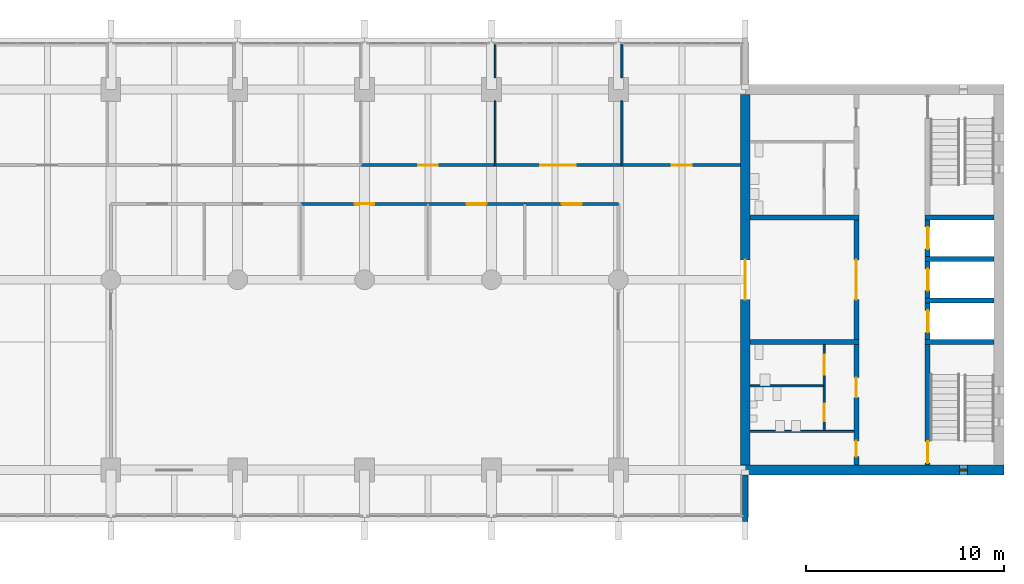
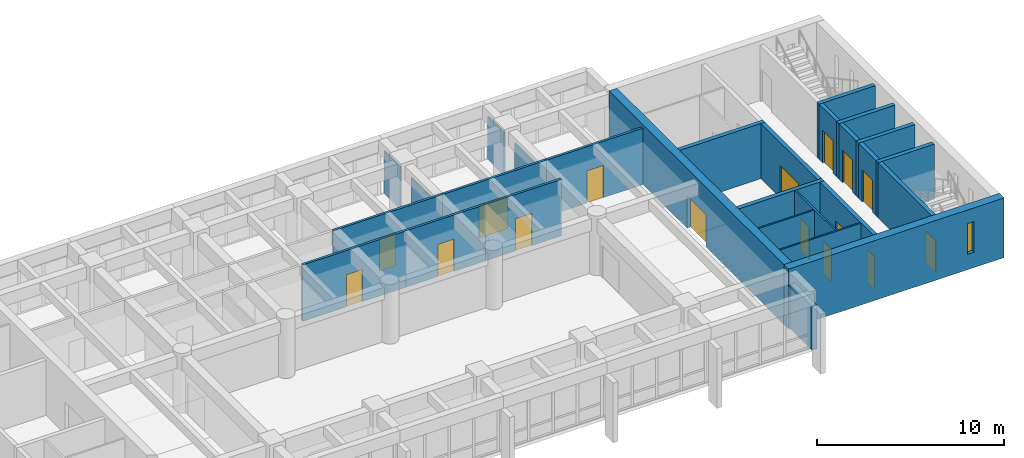
# One storey, part 11 of 15: 28 walls, 16 doors, 1 window, 17 openings.
"""IFC4 building model written with IfcOpenShell, lengths in metres."""

from ifc_helpers import new_model, si_unit, direction, frame, frame_2d, origin, place, context, subcontext, project, spatial, rectangle, extrude, material, layer, layer_set, type_object, element, fill, save


model = new_model("IFC4")

# Units and contexts
model_context = context("Model", 3, precision=1e-05, world=origin(), true_north=direction((0.0, 1.0)))
body_context = subcontext(model_context, "Body", "Model", "MODEL_VIEW")
ifc_project = project(units=[si_unit("LENGTHUNIT", "METRE"), si_unit("AREAUNIT", "SQUARE_METRE"), si_unit("VOLUMEUNIT", "CUBIC_METRE"), si_unit("PLANEANGLEUNIT", "RADIAN"), si_unit("MASSUNIT", "GRAM", prefix="KILO")], contexts=[model_context])

# Site, building, storey
site_placement = place(None, origin())
site = spatial("IfcSite", under=ifc_project, at=site_placement, CompositionType="ELEMENT")
building_placement = place(site_placement, origin())
building = spatial("IfcBuilding", under=site, at=building_placement, Name="Fogon Plaza Fire Station and Headquarters Tower", CompositionType="ELEMENT")
storey_placement = place(building_placement, frame((0.0, 0.0, 32.699951171875)))
storey = spatial("IfcBuildingStorey", under=building, at=storey_placement, Name="L08", CompositionType="ELEMENT", Elevation=32.699951171875)

# Walls
ifc_material_1 = material(Name="Concrete C40", Category="concrete")
ifc_layer_1 = layer(ifc_material_1, 0.25)
ifc_layer_set_1 = layer_set([ifc_layer_1], Name="Concrete C40")
wall_type_1 = type_object("IfcWallType", Name="Core Wall RC 250", PredefinedType="SOLIDWALL", material=ifc_layer_set_1)
for number, where, z_axis, x_axis, name in (
    (1, (76.550048828125, 40.050048828125, 0.0), (0.0, 0.0, 1.0), (-1.0, 0.0, 0.0), "Core B shaft wall"),
    (2, (76.550048828125, 42.14990234375, 0.0), (0.0, 0.0, 1.0), (-1.0, 0.0, 0.0), "Core B shaft wall"),
    (3, (76.550048828125, 44.25, 0.0), (0.0, 0.0, 1.0), (-1.0, 0.0, 0.0), "Core B shaft wall"),
    (4, (76.550048828125, 46.35009765625, 0.0), (0.0, 0.0, 1.0), (-1.0, 0.0, 0.0), "Core B shaft wall"),
):
    element("IfcWall", number, at=place(storey_placement, frame(where, z_axis=z_axis, x_axis=x_axis)), inside=storey, type_object=wall_type_1, Name=name, PredefinedType="SOLIDWALL", context=body_context, shape_type="SweptSolid", body=[
        extrude(rectangle(XDim=3.47509765625, YDim=0.25, at=frame_2d((1.737548828125, 0.0))), origin(), (0.0, 0.0, 1.0), 3.60009765625),
    ])

# Wall, opening, door
wall_1_placement = place(storey_placement, frame((73.199951171875, 33.85009765625, 0.0), z_axis=(0.0, 0.0, 1.0), x_axis=(0.0, 1.0, 0.0)))
wall_1 = element("IfcWall", 5, at=wall_1_placement, inside=storey, type_object=wall_type_1, Name="Core B shaft wall", PredefinedType="SOLIDWALL", context=body_context, shape_type="SweptSolid", body=[
    extrude(rectangle(XDim=6.074951171875, YDim=0.25, at=frame_2d((3.03759765625, 0.0))), origin(), (0.0, 0.0, 1.0), 3.60009765625),
])
opening_1_placement = place(wall_1_placement, frame((0.10009765625, 0.0, 0.0)))
opening_1 = element("IfcOpeningElement", 6, at=opening_1_placement, cuts=wall_1, Name="Opening L08-D15", PredefinedType="OPENING", context=body_context, shape_type="SweptSolid", body=[
    extrude(rectangle(XDim=1.10009765625, YDim=2.10009765625, at=frame_2d((0.550048828125, 1.050048828125))), frame((0.0, 0.135009765625, 0.0), z_axis=(0.0, -1.0, 0.0), x_axis=(1.0, 0.0, 0.0)), (0.0, 0.0, 1.0), 0.27001953125),
])
ifc_material_2 = material(Name="Steel Fire Door Leaf", Category="steel")
door_type_1 = type_object("IfcDoorType", Name="Stair Door Single 1100x2100", OperationType="SINGLE_SWING_LEFT", PredefinedType="DOOR", material=ifc_material_2)
door_1_placement = place(opening_1_placement, frame((1.10009765625, 0.0, 0.0), z_axis=(0.0, 0.0, 1.0), x_axis=(-1.0, 0.0, 0.0)))
door_1 = element("IfcDoor", 7, at=door_1_placement, inside=storey, type_object=door_type_1, Name="Stair door ST3", OperationType="SINGLE_SWING_RIGHT", OverallHeight=2.10009765625, OverallWidth=1.10009765625, PredefinedType="DOOR", context=body_context, shape_type="SweptSolid", body=[
    extrude(rectangle(XDim=1.10009765625, YDim=2.10009765625, at=frame_2d((0.550048828125, 1.050048828125))), frame((0.0, 0.02490234375, 0.0), z_axis=(0.0, -1.0, 0.0), x_axis=(1.0, 0.0, 0.0)), (0.0, 0.0, 1.0), 0.050048828125),
])
fill(opening_1, door_1)

wall_2_placement = place(storey_placement, frame((73.199951171875, 40.175048828125, 0.0), z_axis=(0.0, 0.0, 1.0), x_axis=(0.0, 1.0, 0.0)))
wall_2 = element("IfcWall", 8, at=wall_2_placement, inside=storey, type_object=wall_type_1, Name="Core B shaft wall", PredefinedType="SOLIDWALL", context=body_context, shape_type="SweptSolid", body=[
    extrude(rectangle(XDim=1.849853515625, YDim=0.25, at=frame_2d((0.9248046875, 0.0))), origin(), (0.0, 0.0, 1.0), 3.60009765625),
])
opening_2_placement = place(wall_2_placement, frame((0.375, 0.0, 0.0)))
opening_2 = element("IfcOpeningElement", 9, at=opening_2_placement, cuts=wall_2, Name="Opening L08-D17", PredefinedType="OPENING", context=body_context, shape_type="SweptSolid", body=[
    extrude(rectangle(XDim=1.10009765625, YDim=2.10009765625, at=frame_2d((0.550048828125, 1.050048828125))), frame((0.0, 0.135009765625, 0.0), z_axis=(0.0, -1.0, 0.0), x_axis=(1.0, 0.0, 0.0)), (0.0, 0.0, 1.0), 0.27001953125),
])
ifc_material_3 = material(Name="Stainless Steel", Category="steel")
door_type_2 = type_object("IfcDoorType", Name="Lift Landing Door 1100x2100", OperationType="SLIDING_TO_LEFT", PredefinedType="DOOR", material=ifc_material_3)
door_2_placement = place(opening_2_placement, origin())
door_2 = element("IfcDoor", 10, at=door_2_placement, inside=storey, type_object=door_type_2, Name="Lift LP3 landing door", OperationType="SLIDING_TO_LEFT", OverallHeight=2.10009765625, OverallWidth=1.10009765625, PredefinedType="DOOR", context=body_context, shape_type="SweptSolid", body=[
    extrude(rectangle(XDim=1.10009765625, YDim=2.10009765625, at=frame_2d((0.550048828125, 1.050048828125))), frame((0.0, 0.02490234375, 0.0), z_axis=(0.0, -1.0, 0.0), x_axis=(1.0, 0.0, 0.0)), (0.0, 0.0, 1.0), 0.050048828125),
])
fill(opening_2, door_2)

wall_3_placement = place(storey_placement, frame((73.199951171875, 42.27490234375, 0.0), z_axis=(0.0, 0.0, 1.0), x_axis=(0.0, 1.0, 0.0)))
wall_3 = element("IfcWall", 11, at=wall_3_placement, inside=storey, type_object=wall_type_1, Name="Core B shaft wall", PredefinedType="SOLIDWALL", context=body_context, shape_type="SweptSolid", body=[
    extrude(rectangle(XDim=1.85009765625, YDim=0.25, at=frame_2d((0.925048828125, 0.0))), origin(), (0.0, 0.0, 1.0), 3.60009765625),
])
opening_3_placement = place(wall_3_placement, frame((0.375, 0.0, 0.0)))
opening_3 = element("IfcOpeningElement", 12, at=opening_3_placement, cuts=wall_3, Name="Opening L08-D18", PredefinedType="OPENING", context=body_context, shape_type="SweptSolid", body=[
    extrude(rectangle(XDim=1.10009765625, YDim=2.10009765625, at=frame_2d((0.550048828125, 1.050048828125))), frame((0.0, 0.135009765625, 0.0), z_axis=(0.0, -1.0, 0.0), x_axis=(1.0, 0.0, 0.0)), (0.0, 0.0, 1.0), 0.27001953125),
])
door_3_placement = place(opening_3_placement, origin())
door_3 = element("IfcDoor", 13, at=door_3_placement, inside=storey, type_object=door_type_2, Name="Lift LP4 landing door", OperationType="SLIDING_TO_LEFT", OverallHeight=2.10009765625, OverallWidth=1.10009765625, PredefinedType="DOOR", context=body_context, shape_type="SweptSolid", body=[
    extrude(rectangle(XDim=1.10009765625, YDim=2.10009765625, at=frame_2d((0.550048828125, 1.050048828125))), frame((0.0, 0.02490234375, 0.0), z_axis=(0.0, -1.0, 0.0), x_axis=(1.0, 0.0, 0.0)), (0.0, 0.0, 1.0), 0.050048828125),
])
fill(opening_3, door_3)

wall_4_placement = place(storey_placement, frame((73.199951171875, 44.375, 0.0), z_axis=(0.0, 0.0, 1.0), x_axis=(0.0, 1.0, 0.0)))
wall_4 = element("IfcWall", 14, at=wall_4_placement, inside=storey, type_object=wall_type_1, Name="Core B shaft wall", PredefinedType="SOLIDWALL", context=body_context, shape_type="SweptSolid", body=[
    extrude(rectangle(XDim=1.85009765625, YDim=0.25, at=frame_2d((0.925048828125, 0.0))), origin(), (0.0, 0.0, 1.0), 3.60009765625),
])
opening_4_placement = place(wall_4_placement, frame((0.375, 0.0, 0.0)))
opening_4 = element("IfcOpeningElement", 15, at=opening_4_placement, cuts=wall_4, Name="Opening L08-D19", PredefinedType="OPENING", context=body_context, shape_type="SweptSolid", body=[
    extrude(rectangle(XDim=1.10009765625, YDim=2.10009765625, at=frame_2d((0.550048828125, 1.050048828125))), frame((0.0, 0.135009765625, 0.0), z_axis=(0.0, -1.0, 0.0), x_axis=(1.0, 0.0, 0.0)), (0.0, 0.0, 1.0), 0.27001953125),
])
door_4_placement = place(opening_4_placement, origin())
door_4 = element("IfcDoor", 16, at=door_4_placement, inside=storey, type_object=door_type_2, Name="Lift FL2 landing door", OperationType="SLIDING_TO_LEFT", OverallHeight=2.10009765625, OverallWidth=1.10009765625, PredefinedType="DOOR", context=body_context, shape_type="SweptSolid", body=[
    extrude(rectangle(XDim=1.10009765625, YDim=2.10009765625, at=frame_2d((0.550048828125, 1.050048828125))), frame((0.0, 0.02490234375, 0.0), z_axis=(0.0, -1.0, 0.0), x_axis=(1.0, 0.0, 0.0)), (0.0, 0.0, 1.0), 0.050048828125),
])
fill(opening_4, door_4)

# Wall, openings, doors
wall_5_placement = place(storey_placement, frame((69.60009765625, 33.85009765625, 0.0), z_axis=(0.0, 0.0, 1.0), x_axis=(0.0, 1.0, 0.0)))
wall_5 = element("IfcWall", 17, at=wall_5_placement, inside=storey, type_object=wall_type_1, Name="Core B shaft wall", PredefinedType="SOLIDWALL", context=body_context, shape_type="SweptSolid", body=[
    extrude(rectangle(XDim=6.074951171875, YDim=0.25, at=frame_2d((3.03759765625, 0.0))), origin(), (0.0, 0.0, 1.0), 3.60009765625),
])
opening_5_placement = place(wall_5_placement, frame((0.425048828125, 0.0, 0.0)))
opening_5 = element("IfcOpeningElement", 18, at=opening_5_placement, cuts=wall_5, Name="Opening L08-D22", PredefinedType="OPENING", context=body_context, shape_type="SweptSolid", body=[
    extrude(rectangle(XDim=0.800048828125, YDim=2.10009765625, at=frame_2d((0.39990234375, 1.050048828125))), frame((0.0, 0.135009765625, 0.0), z_axis=(0.0, -1.0, 0.0), x_axis=(1.0, 0.0, 0.0)), (0.0, 0.0, 1.0), 0.27001953125),
])
opening_6_placement = place(wall_5_placement, frame((3.41259765625, 0.0, 0.0)))
opening_6 = element("IfcOpeningElement", 19, at=opening_6_placement, cuts=wall_5, Name="Opening L08-D23", PredefinedType="OPENING", context=body_context, shape_type="SweptSolid", body=[
    extrude(rectangle(XDim=1.0, YDim=2.10009765625, at=frame_2d((0.5, 1.050048828125))), frame((0.0, 0.135009765625, 0.0), z_axis=(0.0, -1.0, 0.0), x_axis=(1.0, 0.0, 0.0)), (0.0, 0.0, 1.0), 0.27001953125),
])
ifc_material_4 = material(Name="Timber Door Leaf", Category="wood")
door_type_3 = type_object("IfcDoorType", Name="Cleaner Store Single 800x2100", OperationType="SINGLE_SWING_LEFT", PredefinedType="DOOR", material=ifc_material_4)
door_5_placement = place(opening_5_placement, origin())
door_5 = element("IfcDoor", 20, at=door_5_placement, inside=storey, type_object=door_type_3, Name="Cleaner's store B door", OperationType="SINGLE_SWING_RIGHT", OverallHeight=2.10009765625, OverallWidth=0.800048828125, PredefinedType="DOOR", context=body_context, shape_type="SweptSolid", body=[
    extrude(rectangle(XDim=0.800048828125, YDim=2.10009765625, at=frame_2d((0.39990234375, 1.050048828125))), frame((0.0, 0.02490234375, 0.0), z_axis=(0.0, -1.0, 0.0), x_axis=(1.0, 0.0, 0.0)), (0.0, 0.0, 1.0), 0.050048828125),
])
fill(opening_5, door_5)
ifc_material_5 = material(Name="Timber fire door", Category="wood")
door_type_4 = type_object("IfcDoorType", Name="WC Lobby Single 1000x2100", OperationType="SINGLE_SWING_LEFT", PredefinedType="DOOR", material=ifc_material_5)
door_6_placement = place(opening_6_placement, origin())
door_6 = element("IfcDoor", 21, at=door_6_placement, inside=storey, type_object=door_type_4, Name="Men's WC lobby B door", OperationType="SINGLE_SWING_LEFT", OverallHeight=2.10009765625, OverallWidth=1.0, PredefinedType="DOOR", context=body_context, shape_type="SweptSolid", body=[
    extrude(rectangle(XDim=1.0, YDim=2.10009765625, at=frame_2d((0.5, 1.050048828125))), frame((0.0, 0.02490234375, 0.0), z_axis=(0.0, -1.0, 0.0), x_axis=(1.0, 0.0, 0.0)), (0.0, 0.0, 1.0), 0.050048828125),
])
fill(opening_6, door_6)

# Wall, opening, door
wall_6_placement = place(storey_placement, frame((69.60009765625, 40.175048828125, 0.0), z_axis=(0.0, 0.0, 1.0), x_axis=(0.0, 1.0, 0.0)))
wall_6 = element("IfcWall", 22, at=wall_6_placement, inside=storey, type_object=wall_type_1, Name="Core B shaft wall", PredefinedType="SOLIDWALL", context=body_context, shape_type="SweptSolid", body=[
    extrude(rectangle(XDim=6.050048828125, YDim=0.25, at=frame_2d((3.02490234375, 0.0))), origin(), (0.0, 0.0, 1.0), 3.60009765625),
])
opening_7_placement = place(wall_6_placement, frame((2.02490234375, 0.0, 0.0)))
opening_7 = element("IfcOpeningElement", 23, at=opening_7_placement, cuts=wall_6, Name="Opening L08-D20", PredefinedType="OPENING", context=body_context, shape_type="SweptSolid", body=[
    extrude(rectangle(XDim=2.0, YDim=2.10009765625, at=frame_2d((1.0, 1.050048828125))), frame((0.0, 0.135009765625, 0.0), z_axis=(0.0, -1.0, 0.0), x_axis=(1.0, 0.0, 0.0)), (0.0, 0.0, 1.0), 0.27001953125),
])
ifc_material_6 = material(Name="Steel Fire Door Leaf", Category="steel")
door_type_5 = type_object("IfcDoorType", Name="Vestibule Double 2000x2100", OperationType="DOUBLE_DOOR_SINGLE_SWING", PredefinedType="DOOR", material=ifc_material_6)
door_7_placement = place(opening_7_placement, origin())
door_7 = element("IfcDoor", 24, at=door_7_placement, inside=storey, type_object=door_type_5, Name="Vestibule B door", OperationType="DOUBLE_DOOR_SINGLE_SWING", OverallHeight=2.10009765625, OverallWidth=2.0, PredefinedType="DOOR", context=body_context, shape_type="SweptSolid", body=[
    extrude(rectangle(XDim=2.0, YDim=2.10009765625, at=frame_2d((1.0, 1.050048828125))), frame((0.0, 0.02490234375, 0.0), z_axis=(0.0, -1.0, 0.0), x_axis=(1.0, 0.0, 0.0)), (0.0, 0.0, 1.0), 0.050048828125),
])
fill(opening_7, door_7)

# Walls
for number, where, z_axis, x_axis, name in (
    (25, (69.72509765625, 40.050048828125, 0.0), (0.0, 0.0, 1.0), (-1.0, 0.0, 0.0), "Core B shaft wall"),
    (26, (69.72509765625, 46.35009765625, 0.0), (0.0, 0.0, 1.0), (-1.0, 0.0, 0.0), "Core B shaft wall"),
):
    element("IfcWall", number, at=place(storey_placement, frame(where, z_axis=z_axis, x_axis=x_axis)), inside=storey, type_object=wall_type_1, Name=name, PredefinedType="SOLIDWALL", context=body_context, shape_type="SweptSolid", body=[
        extrude(rectangle(XDim=5.47509765625, YDim=0.25, at=frame_2d((2.737548828125, 0.0))), origin(), (0.0, 0.0, 1.0), 3.60009765625),
    ])
ifc_material_7 = material(Name="Concrete C40", Category="concrete")
ifc_layer_2 = layer(ifc_material_7, 0.300048828125)
ifc_layer_set_2 = layer_set([ifc_layer_2], Name="Concrete C40")
wall_type_2 = type_object("IfcWallType", Name="Fair-faced RC Return Panel 300", PredefinedType="SOLIDWALL", material=ifc_layer_set_2)
wall_7_placement = place(storey_placement, frame((64.0, 31.0, 0.0), z_axis=(0.0, 0.0, 1.0), x_axis=(0.0, 1.0, 0.0)))
element("IfcWall", 27, at=wall_7_placement, inside=storey, type_object=wall_type_2, Name="Bar end return ES L08", PredefinedType="SOLIDWALL", context=body_context, shape_type="SweptSolid", body=[
    extrude(rectangle(XDim=2.35009765625, YDim=0.300048828125, at=frame_2d((1.175048828125, 0.0))), origin(), (0.0, 0.0, 1.0), 2.880126953125),
])
ifc_material_8 = material(Name="Blockwork", Category="masonry")
ifc_layer_3 = layer(ifc_material_8, 0.10009765625)
ifc_layer_set_3 = layer_set([ifc_layer_3], Name="Blockwork")
wall_type_3 = type_object("IfcWallType", Name="Partition Blockwork 100", PredefinedType="PARTITIONING", material=ifc_layer_set_3)
wall_8_placement = place(storey_placement, frame((69.47509765625, 35.550048828125, 0.0), z_axis=(0.0, 0.0, 1.0), x_axis=(-1.0, 0.0, 0.0)))
element("IfcWall", 28, at=wall_8_placement, inside=storey, type_object=wall_type_3, Name="Cleaner's store partition", PredefinedType="PARTITIONING", context=body_context, shape_type="SweptSolid", body=[
    extrude(rectangle(XDim=5.22509765625, YDim=0.10009765625, at=frame_2d((2.612548828125, 0.0))), origin(), (0.0, 0.0, 1.0), 3.60009765625),
])

# Wall, openings, doors
wall_9_placement = place(storey_placement, frame((67.97509765625, 35.60009765625, 0.0), z_axis=(0.0, 0.0, 1.0), x_axis=(0.0, 1.0, 0.0)))
wall_9 = element("IfcWall", 29, at=wall_9_placement, inside=storey, type_object=wall_type_3, Name="WC block partition", PredefinedType="PARTITIONING", context=body_context, shape_type="SweptSolid", body=[
    extrude(rectangle(XDim=4.324951171875, YDim=0.10009765625, at=frame_2d((2.16259765625, 0.0))), origin(), (0.0, 0.0, 1.0), 3.60009765625),
])
opening_8_placement = place(wall_9_placement, frame((0.449951171875, 0.0, 0.0)))
opening_8 = element("IfcOpeningElement", 30, at=opening_8_placement, cuts=wall_9, Name="Opening L08-D24", PredefinedType="OPENING", context=body_context, shape_type="SweptSolid", body=[
    extrude(rectangle(XDim=0.89990234375, YDim=2.10009765625, at=frame_2d((0.449951171875, 1.050048828125))), frame((0.0, 0.06005859375, 0.0), z_axis=(0.0, -1.0, 0.0), x_axis=(1.0, 0.0, 0.0)), (0.0, 0.0, 1.0), 0.1201171875),
])
opening_9_placement = place(wall_9_placement, frame((2.8125, 0.0, 0.0)))
opening_9 = element("IfcOpeningElement", 31, at=opening_9_placement, cuts=wall_9, Name="Opening L08-D25", PredefinedType="OPENING", context=body_context, shape_type="SweptSolid", body=[
    extrude(rectangle(XDim=1.0, YDim=2.10009765625, at=frame_2d((0.5, 1.050048828125))), frame((0.0, 0.06005859375, 0.0), z_axis=(0.0, -1.0, 0.0), x_axis=(1.0, 0.0, 0.0)), (0.0, 0.0, 1.0), 0.1201171875),
])
ifc_material_9 = material(Name="Timber Door Leaf", Category="wood")
door_type_6 = type_object("IfcDoorType", Name="Accessible WC Single 1000x2100", OperationType="SINGLE_SWING_LEFT", PredefinedType="DOOR", material=ifc_material_9)
door_8_placement = place(opening_9_placement, origin())
door_8 = element("IfcDoor", 32, at=door_8_placement, inside=storey, type_object=door_type_6, Name="Accessible WC B door", OperationType="SINGLE_SWING_LEFT", OverallHeight=2.10009765625, OverallWidth=1.0, PredefinedType="DOOR", context=body_context, shape_type="SweptSolid", body=[
    extrude(rectangle(XDim=1.0, YDim=2.10009765625, at=frame_2d((0.5, 1.050048828125))), frame((0.0, 0.02490234375, 0.0), z_axis=(0.0, -1.0, 0.0), x_axis=(1.0, 0.0, 0.0)), (0.0, 0.0, 1.0), 0.050048828125),
])
fill(opening_9, door_8)
ifc_material_10 = material(Name="Timber Door Leaf", Category="wood")
door_type_7 = type_object("IfcDoorType", Name="WC Single 900x2100", OperationType="SINGLE_SWING_LEFT", PredefinedType="DOOR", material=ifc_material_10)
door_9_placement = place(opening_8_placement, origin())
door_9 = element("IfcDoor", 33, at=door_9_placement, inside=storey, type_object=door_type_7, Name="Men's WC B door", OperationType="SINGLE_SWING_LEFT", OverallHeight=2.10009765625, OverallWidth=0.89990234375, PredefinedType="DOOR", context=body_context, shape_type="SweptSolid", body=[
    extrude(rectangle(XDim=0.89990234375, YDim=2.10009765625, at=frame_2d((0.449951171875, 1.050048828125))), frame((0.0, 0.02490234375, 0.0), z_axis=(0.0, -1.0, 0.0), x_axis=(1.0, 0.0, 0.0)), (0.0, 0.0, 1.0), 0.050048828125),
])
fill(opening_8, door_9)

# Wall
wall_10_placement = place(storey_placement, frame((67.925048828125, 37.85009765625, 0.0), z_axis=(0.0, 0.0, 1.0), x_axis=(-1.0, 0.0, 0.0)))
element("IfcWall", 34, at=wall_10_placement, inside=storey, type_object=wall_type_3, Name="WC block partition", PredefinedType="PARTITIONING", context=body_context, shape_type="SweptSolid", body=[
    extrude(rectangle(XDim=3.675048828125, YDim=0.10009765625, at=frame_2d((1.83740234375, 0.0))), origin(), (0.0, 0.0, 1.0), 3.60009765625),
])

# Wall, opening, window
ifc_material_11 = material(Name="Concrete C40", Category="concrete")
ifc_layer_4 = layer(ifc_material_11, 0.5)
ifc_layer_set_4 = layer_set([ifc_layer_4], Name="Concrete C40")
wall_type_4 = type_object("IfcWallType", Name="Shear wall 500 SW50", PredefinedType="SHEAR", material=ifc_layer_set_4)
wall_11_placement = place(storey_placement, frame((63.75, 33.60009765625, 0.0), z_axis=(0.0, 0.0, 1.0), x_axis=(1.0, 0.0, 0.0)))
wall_11 = element("IfcWall", 35, at=wall_11_placement, inside=storey, type_object=wall_type_4, Name="wall-coreB-S-L08", PredefinedType="SHEAR", context=body_context, shape_type="SweptSolid", body=[
    extrude(rectangle(XDim=13.300048828125, YDim=0.5, at=frame_2d((6.64990234375, 0.0))), origin(), (0.0, 0.0, 1.0), 3.900146484375),
])
opening_10_placement = place(wall_11_placement, frame((11.050048828125, 0.0, 1.0)))
opening_10 = element("IfcOpeningElement", 36, at=opening_10_placement, cuts=wall_11, Name="Opening WS1", PredefinedType="OPENING", context=body_context, shape_type="SweptSolid", body=[
    extrude(rectangle(XDim=0.39990234375, YDim=2.0, at=frame_2d((0.199951171875, 1.0))), frame((0.0, 0.260009765625, 0.0), z_axis=(0.0, -1.0, 0.0), x_axis=(1.0, 0.0, 0.0)), (0.0, 0.0, 1.0), 0.52001953125),
])
ifc_material_12 = material(Name="Aluminium framed double glazing", Category="aluminium")
window_type = type_object("IfcWindowType", Name="Slit Window WS1 400x2000", PartitioningType="SINGLE_PANEL", PredefinedType="WINDOW", material=ifc_material_12)
window_placement = place(opening_10_placement, origin())
window = element("IfcWindow", 37, at=window_placement, inside=storey, type_object=window_type, Name="Slit window B5 L08", OverallHeight=2.0, OverallWidth=0.39990234375, PartitioningType="SINGLE_PANEL", PredefinedType="WINDOW", context=body_context, shape_type="SweptSolid", body=[
    extrude(rectangle(XDim=0.39990234375, YDim=2.0, at=frame_2d((0.199951171875, 1.0))), frame((0.0, 0.030029296875, 0.0), z_axis=(0.0, -1.0, 0.0), x_axis=(1.0, 0.0, 0.0)), (0.0, 0.0, 1.0), 0.06005859375),
])
fill(opening_10, window)

# Wall, opening, door
wall_12_placement = place(storey_placement, frame((64.0, 33.85009765625, 0.0), z_axis=(0.0, 0.0, 1.0), x_axis=(0.0, 1.0, 0.0)))
wall_12 = element("IfcWall", 38, at=wall_12_placement, inside=storey, type_object=wall_type_4, Name="wall-coreB-W-L08", PredefinedType="SHEAR", context=body_context, shape_type="SweptSolid", body=[
    extrude(rectangle(XDim=18.699951171875, YDim=0.5, at=frame_2d((9.35009765625, 0.0))), origin(), (0.0, 0.0, 1.0), 3.900146484375),
])
opening_11_placement = place(wall_12_placement, frame((8.35009765625, 0.0, 0.0)))
opening_11 = element("IfcOpeningElement", 39, at=opening_11_placement, cuts=wall_12, Name="Opening L08-D21", PredefinedType="OPENING", context=body_context, shape_type="SweptSolid", body=[
    extrude(rectangle(XDim=2.0, YDim=2.10009765625, at=frame_2d((1.0, 1.050048828125))), frame((0.0, 0.260009765625, 0.0), z_axis=(0.0, -1.0, 0.0), x_axis=(1.0, 0.0, 0.0)), (0.0, 0.0, 1.0), 0.52001953125),
])
door_10_placement = place(opening_11_placement, frame((2.0, 0.0, 0.0), z_axis=(0.0, 0.0, 1.0), x_axis=(-1.0, 0.0, 0.0)))
door_10 = element("IfcDoor", 40, at=door_10_placement, inside=storey, type_object=door_type_5, Name="Vestibule B door to the office zone", OperationType="DOUBLE_DOOR_SINGLE_SWING", OverallHeight=2.10009765625, OverallWidth=2.0, PredefinedType="DOOR", context=body_context, shape_type="SweptSolid", body=[
    extrude(rectangle(XDim=2.0, YDim=2.10009765625, at=frame_2d((1.0, 1.050048828125))), frame((0.0, 0.02490234375, 0.0), z_axis=(0.0, -1.0, 0.0), x_axis=(1.0, 0.0, 0.0)), (0.0, 0.0, 1.0), 0.050048828125),
])
fill(opening_11, door_10)

ifc_material_13 = material(Name="Gypsum board on steel stud", Category="steel")
ifc_layer_5 = layer(ifc_material_13, 0.14990234375)
ifc_layer_set_5 = layer_set([ifc_layer_5], Name="Gypsum board on steel stud")
wall_type_5 = type_object("IfcWallType", Name="Tower corridor partition 150 EI 60", PredefinedType="PARTITIONING", material=ifc_layer_set_5)
wall_13_placement = place(storey_placement, frame((41.60009765625, 47.02490234375, 0.0), z_axis=(0.0, 0.0, 1.0), x_axis=(1.0, 0.0, 0.0)))
wall_13 = element("IfcWall", 41, at=wall_13_placement, inside=storey, type_object=wall_type_5, Name="part-L08-03", PredefinedType="PARTITIONING", context=body_context, shape_type="SweptSolid", body=[
    extrude(rectangle(XDim=6.39990234375, YDim=0.14990234375, at=frame_2d((3.199951171875, 0.0))), origin(), (0.0, 0.0, 1.0), 3.679931640625),
])
opening_12_placement = place(wall_13_placement, frame((2.699951171875, 0.0, 0.0)))
opening_12 = element("IfcOpeningElement", 42, at=opening_12_placement, cuts=wall_13, Name="Opening L08-D31", PredefinedType="OPENING", context=body_context, shape_type="SweptSolid", body=[
    extrude(rectangle(XDim=1.0, YDim=2.10009765625, at=frame_2d((0.5, 1.050048828125))), frame((0.0, 0.0849609375, 0.0), z_axis=(0.0, -1.0, 0.0), x_axis=(1.0, 0.0, 0.0)), (0.0, 0.0, 1.0), 0.169921875),
])
ifc_material_14 = material(Name="Fire rated glazed door")
door_type_8 = type_object("IfcDoorType", Name="Tower glazed fire door single 1000 EI 20", OperationType="SINGLE_SWING_LEFT", PredefinedType="DOOR", material=ifc_material_14)
door_11_placement = place(opening_12_placement, frame((1.0, 0.0, 0.0), z_axis=(0.0, 0.0, 1.0), x_axis=(-1.0, 0.0, 0.0)))
door_11 = element("IfcDoor", 43, at=door_11_placement, inside=storey, type_object=door_type_8, Name="door-L08-03", OperationType="SINGLE_SWING_LEFT", OverallHeight=2.10009765625, OverallWidth=1.0, PredefinedType="DOOR", context=body_context, shape_type="SweptSolid", body=[
    extrude(rectangle(XDim=1.0, YDim=2.10009765625, at=frame_2d((0.5, 1.050048828125))), frame((0.0, 0.02490234375, 0.0), z_axis=(0.0, -1.0, 0.0), x_axis=(1.0, 0.0, 0.0)), (0.0, 0.0, 1.0), 0.050048828125),
])
fill(opening_12, door_11)

wall_14_placement = place(storey_placement, frame((48.0, 47.02490234375, 0.0), z_axis=(0.0, 0.0, 1.0), x_axis=(1.0, 0.0, 0.0)))
wall_14 = element("IfcWall", 44, at=wall_14_placement, inside=storey, type_object=wall_type_5, Name="part-L08-04", PredefinedType="PARTITIONING", context=body_context, shape_type="SweptSolid", body=[
    extrude(rectangle(XDim=4.889892578125, YDim=0.14990234375, at=frame_2d((2.44482421875, 0.0))), origin(), (0.0, 0.0, 1.0), 3.679931640625),
])
opening_13_placement = place(wall_14_placement, frame((1.949951171875, 0.0, 0.0)))
opening_13 = element("IfcOpeningElement", 45, at=opening_13_placement, cuts=wall_14, Name="Opening L08-D32", PredefinedType="OPENING", context=body_context, shape_type="SweptSolid", body=[
    extrude(rectangle(XDim=1.0, YDim=2.10009765625, at=frame_2d((0.5, 1.050048828125))), frame((0.0, 0.0849609375, 0.0), z_axis=(0.0, -1.0, 0.0), x_axis=(1.0, 0.0, 0.0)), (0.0, 0.0, 1.0), 0.169921875),
])
door_12_placement = place(opening_13_placement, frame((1.0, 0.0, 0.0), z_axis=(0.0, 0.0, 1.0), x_axis=(-1.0, 0.0, 0.0)))
door_12 = element("IfcDoor", 46, at=door_12_placement, inside=storey, type_object=door_type_8, Name="door-L08-04", OperationType="SINGLE_SWING_RIGHT", OverallHeight=2.10009765625, OverallWidth=1.0, PredefinedType="DOOR", context=body_context, shape_type="SweptSolid", body=[
    extrude(rectangle(XDim=1.0, YDim=2.10009765625, at=frame_2d((0.5, 1.050048828125))), frame((0.0, 0.02490234375, 0.0), z_axis=(0.0, -1.0, 0.0), x_axis=(1.0, 0.0, 0.0)), (0.0, 0.0, 1.0), 0.050048828125),
])
fill(opening_13, door_12)

wall_15_placement = place(storey_placement, frame((52.889892578125, 47.02490234375, 0.0), z_axis=(0.0, 0.0, 1.0), x_axis=(1.0, 0.0, 0.0)))
wall_15 = element("IfcWall", 47, at=wall_15_placement, inside=storey, type_object=wall_type_5, Name="part-L08-05", PredefinedType="PARTITIONING", context=body_context, shape_type="SweptSolid", body=[
    extrude(rectangle(XDim=4.710205078125, YDim=0.14990234375, at=frame_2d((2.35498046875, 0.0))), origin(), (0.0, 0.0, 1.0), 3.679931640625),
])
opening_14_placement = place(wall_15_placement, frame((1.860107421875, 0.0, 0.0)))
opening_14 = element("IfcOpeningElement", 48, at=opening_14_placement, cuts=wall_15, Name="Opening L08-D33", PredefinedType="OPENING", context=body_context, shape_type="SweptSolid", body=[
    extrude(rectangle(XDim=1.0, YDim=2.10009765625, at=frame_2d((0.5, 1.050048828125))), frame((0.0, 0.0849609375, 0.0), z_axis=(0.0, -1.0, 0.0), x_axis=(1.0, 0.0, 0.0)), (0.0, 0.0, 1.0), 0.169921875),
])
ifc_material_15 = material(Name="Timber fire door", Category="wood")
door_type_9 = type_object("IfcDoorType", Name="Tower fire door single 1000 EI 20", OperationType="SINGLE_SWING_LEFT", PredefinedType="DOOR", material=ifc_material_15)
door_13_placement = place(opening_14_placement, frame((1.0, 0.0, 0.0), z_axis=(0.0, 0.0, 1.0), x_axis=(-1.0, 0.0, 0.0)))
door_13 = element("IfcDoor", 49, at=door_13_placement, inside=storey, type_object=door_type_9, Name="door-L08-05", OperationType="SINGLE_SWING_LEFT", OverallHeight=2.10009765625, OverallWidth=1.0, PredefinedType="DOOR", context=body_context, shape_type="SweptSolid", body=[
    extrude(rectangle(XDim=1.0, YDim=2.10009765625, at=frame_2d((0.5, 1.050048828125))), frame((0.0, 0.02490234375, 0.0), z_axis=(0.0, -1.0, 0.0), x_axis=(1.0, 0.0, 0.0)), (0.0, 0.0, 1.0), 0.050048828125),
])
fill(opening_14, door_13)

wall_16_placement = place(storey_placement, frame((44.6201171875, 48.97509765625, 0.0), z_axis=(0.0, 0.0, 1.0), x_axis=(1.0, 0.0, 0.0)))
wall_16 = element("IfcWall", 50, at=wall_16_placement, inside=storey, type_object=wall_type_5, Name="part-L08-13", PredefinedType="PARTITIONING", context=body_context, shape_type="SweptSolid", body=[
    extrude(rectangle(XDim=6.759765625, YDim=0.14990234375, at=frame_2d((3.3798828125, 0.0))), origin(), (0.0, 0.0, 1.0), 3.679931640625),
])
opening_15_placement = place(wall_16_placement, frame((2.8798828125, 0.0, 0.0)))
opening_15 = element("IfcOpeningElement", 51, at=opening_15_placement, cuts=wall_16, Name="Opening L08-D37", PredefinedType="OPENING", context=body_context, shape_type="SweptSolid", body=[
    extrude(rectangle(XDim=1.0, YDim=2.10009765625, at=frame_2d((0.5, 1.050048828125))), frame((0.0, 0.0849609375, 0.0), z_axis=(0.0, -1.0, 0.0), x_axis=(1.0, 0.0, 0.0)), (0.0, 0.0, 1.0), 0.169921875),
])
door_14_placement = place(opening_15_placement, origin())
door_14 = element("IfcDoor", 52, at=door_14_placement, inside=storey, type_object=door_type_8, Name="door-L08-09", OperationType="SINGLE_SWING_LEFT", OverallHeight=2.10009765625, OverallWidth=1.0, PredefinedType="DOOR", context=body_context, shape_type="SweptSolid", body=[
    extrude(rectangle(XDim=1.0, YDim=2.10009765625, at=frame_2d((0.5, 1.050048828125))), frame((0.0, 0.02490234375, 0.0), z_axis=(0.0, -1.0, 0.0), x_axis=(1.0, 0.0, 0.0)), (0.0, 0.0, 1.0), 0.050048828125),
])
fill(opening_15, door_14)

wall_17_placement = place(storey_placement, frame((51.3798828125, 48.97509765625, 0.0), z_axis=(0.0, 0.0, 1.0), x_axis=(1.0, 0.0, 0.0)))
wall_17 = element("IfcWall", 53, at=wall_17_placement, inside=storey, type_object=wall_type_5, Name="part-L08-14", PredefinedType="PARTITIONING", context=body_context, shape_type="SweptSolid", body=[
    extrude(rectangle(XDim=6.400146484375, YDim=0.14990234375, at=frame_2d((3.2001953125, 0.0))), origin(), (0.0, 0.0, 1.0), 3.679931640625),
])
opening_16_placement = place(wall_17_placement, frame((2.27001953125, 0.0, 0.0)))
opening_16 = element("IfcOpeningElement", 54, at=opening_16_placement, cuts=wall_17, Name="Opening L08-D38", PredefinedType="OPENING", context=body_context, shape_type="SweptSolid", body=[
    extrude(rectangle(XDim=1.800048828125, YDim=2.10009765625, at=frame_2d((0.89990234375, 1.050048828125))), frame((0.0, 0.0849609375, 0.0), z_axis=(0.0, -1.0, 0.0), x_axis=(1.0, 0.0, 0.0)), (0.0, 0.0, 1.0), 0.169921875),
])
ifc_material_16 = material(Name="Timber fire door", Category="wood")
door_type_10 = type_object("IfcDoorType", Name="Tower fire door double 1800 EI 20", OperationType="DOUBLE_DOOR_SINGLE_SWING", PredefinedType="DOOR", material=ifc_material_16)
door_15_placement = place(opening_16_placement, origin())
door_15 = element("IfcDoor", 55, at=door_15_placement, inside=storey, type_object=door_type_10, Name="door-L08-10", OperationType="DOUBLE_DOOR_SINGLE_SWING", OverallHeight=2.10009765625, OverallWidth=1.800048828125, PredefinedType="DOOR", context=body_context, shape_type="SweptSolid", body=[
    extrude(rectangle(XDim=1.800048828125, YDim=2.10009765625, at=frame_2d((0.89990234375, 1.050048828125))), frame((0.0, 0.02490234375, 0.0), z_axis=(0.0, -1.0, 0.0), x_axis=(1.0, 0.0, 0.0)), (0.0, 0.0, 1.0), 0.050048828125),
])
fill(opening_16, door_15)

wall_18_placement = place(storey_placement, frame((57.780029296875, 48.97509765625, 0.0), z_axis=(0.0, 0.0, 1.0), x_axis=(1.0, 0.0, 0.0)))
wall_18 = element("IfcWall", 56, at=wall_18_placement, inside=storey, type_object=wall_type_5, Name="part-L08-15", PredefinedType="PARTITIONING", context=body_context, shape_type="SweptSolid", body=[
    extrude(rectangle(XDim=5.969970703125, YDim=0.14990234375, at=frame_2d((2.98486328125, 0.0))), origin(), (0.0, 0.0, 1.0), 3.679931640625),
])
opening_17_placement = place(wall_18_placement, frame((2.52001953125, 0.0, 0.0)))
opening_17 = element("IfcOpeningElement", 57, at=opening_17_placement, cuts=wall_18, Name="Opening L08-D39", PredefinedType="OPENING", context=body_context, shape_type="SweptSolid", body=[
    extrude(rectangle(XDim=1.0, YDim=2.10009765625, at=frame_2d((0.5, 1.050048828125))), frame((0.0, 0.0849609375, 0.0), z_axis=(0.0, -1.0, 0.0), x_axis=(1.0, 0.0, 0.0)), (0.0, 0.0, 1.0), 0.169921875),
])
door_16_placement = place(opening_17_placement, origin())
door_16 = element("IfcDoor", 58, at=door_16_placement, inside=storey, type_object=door_type_9, Name="door-L08-11", OperationType="SINGLE_SWING_RIGHT", OverallHeight=2.10009765625, OverallWidth=1.0, PredefinedType="DOOR", context=body_context, shape_type="SweptSolid", body=[
    extrude(rectangle(XDim=1.0, YDim=2.10009765625, at=frame_2d((0.5, 1.050048828125))), frame((0.0, 0.02490234375, 0.0), z_axis=(0.0, -1.0, 0.0), x_axis=(1.0, 0.0, 0.0)), (0.0, 0.0, 1.0), 0.050048828125),
])
fill(opening_17, door_16)

# Walls
ifc_material_17 = material(Name="Glazed aluminium partition", Category="aluminium")
ifc_layer_6 = layer(ifc_material_17, 0.074951171875)
ifc_layer_set_6 = layer_set([ifc_layer_6], Name="Glazed aluminium partition")
wall_type_6 = type_object("IfcWallType", Name="Tower glazed partition 75 Beam Head 900", PredefinedType="PARTITIONING", material=ifc_layer_set_6)
wall_19_placement = place(storey_placement, frame((51.3798828125, 48.97509765625, 0.0), z_axis=(0.0, 0.0, 1.0), x_axis=(0.0, 1.0, 0.0)))
element("IfcWall", 59, at=wall_19_placement, inside=storey, type_object=wall_type_6, Name="part-L08-22", PredefinedType="PARTITIONING", context=body_context, shape_type="SweptSolid", body=[
    extrude(rectangle(XDim=3.244873046875, YDim=0.074951171875, at=frame_2d((1.62255859375, 0.0))), origin(), (0.0, 0.0, 1.0), 2.780029296875),
])
wall_20_placement = place(storey_placement, frame((51.3798828125, 53.3798828125, 0.0), z_axis=(0.0, 0.0, 1.0), x_axis=(0.0, 1.0, 0.0)))
element("IfcWall", 60, at=wall_20_placement, inside=storey, type_object=wall_type_6, Name="part-L08-23", PredefinedType="PARTITIONING", context=body_context, shape_type="SweptSolid", body=[
    extrude(rectangle(XDim=1.72021484375, YDim=0.074951171875, at=frame_2d((0.860107421875, 0.0))), origin(), (0.0, 0.0, 1.0), 2.780029296875),
])
ifc_material_18 = material(Name="Gypsum board on steel stud", Category="steel")
ifc_layer_7 = layer(ifc_material_18, 0.10009765625)
ifc_layer_set_7 = layer_set([ifc_layer_7], Name="Gypsum board on steel stud")
wall_type_7 = type_object("IfcWallType", Name="Tower office partition 100 Beam Head 900", PredefinedType="PARTITIONING", material=ifc_layer_set_7)
wall_21_placement = place(storey_placement, frame((57.780029296875, 48.97509765625, 0.0), z_axis=(0.0, 0.0, 1.0), x_axis=(0.0, 1.0, 0.0)))
element("IfcWall", 61, at=wall_21_placement, inside=storey, type_object=wall_type_7, Name="part-L08-24", PredefinedType="PARTITIONING", context=body_context, shape_type="SweptSolid", body=[
    extrude(rectangle(XDim=3.244873046875, YDim=0.10009765625, at=frame_2d((1.62255859375, 0.0))), origin(), (0.0, 0.0, 1.0), 2.780029296875),
])
wall_22_placement = place(storey_placement, frame((57.780029296875, 53.3798828125, 0.0), z_axis=(0.0, 0.0, 1.0), x_axis=(0.0, 1.0, 0.0)))
element("IfcWall", 62, at=wall_22_placement, inside=storey, type_object=wall_type_7, Name="part-L08-25", PredefinedType="PARTITIONING", context=body_context, shape_type="SweptSolid", body=[
    extrude(rectangle(XDim=1.72021484375, YDim=0.10009765625, at=frame_2d((0.860107421875, 0.0))), origin(), (0.0, 0.0, 1.0), 2.780029296875),
])

save(model, "model.ifc")
